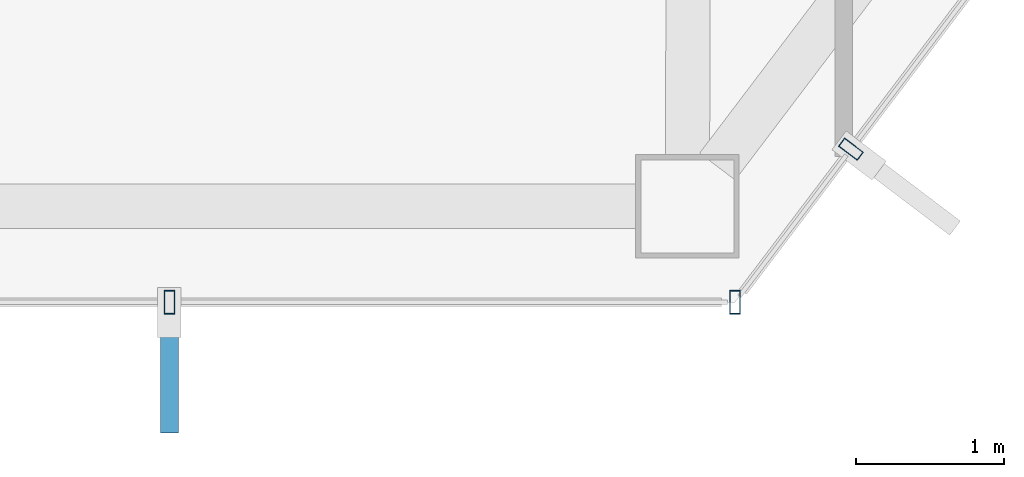
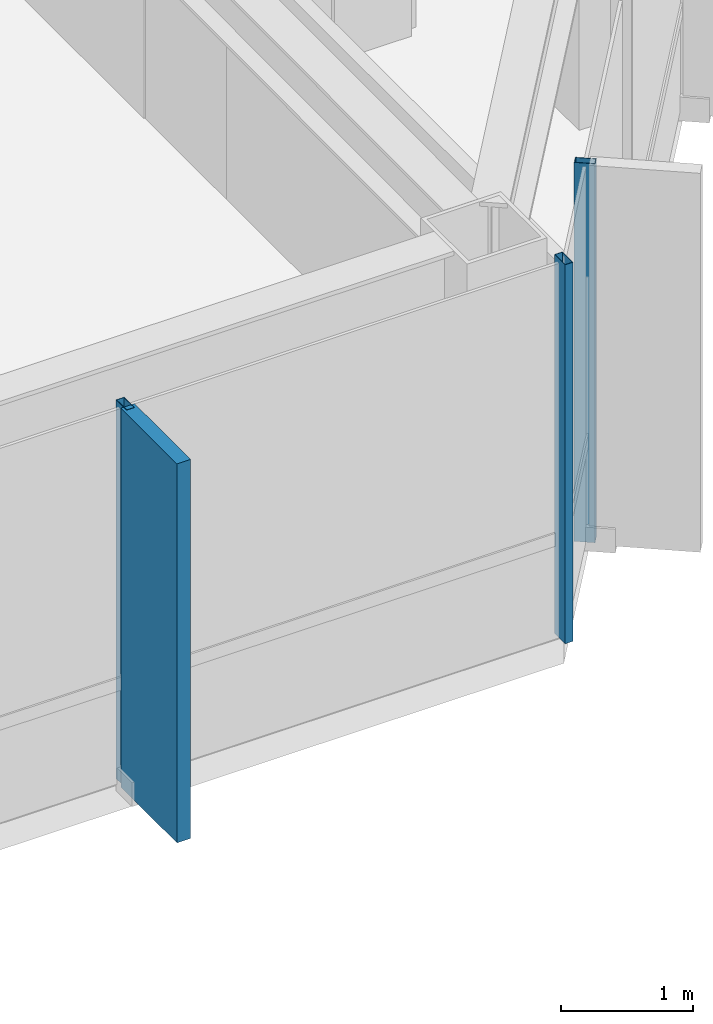
# One storey, part 8 of 28: 4 members, 2 elements without a shape of their own.
"""IFC4 building model written with IfcOpenShell, lengths in metres."""

import ifcopenshell
import ifcopenshell.guid

model = None  # the IFC model being written
_history = None  # IfcOwnerHistory: only IFC2X3 demands one
_inside = {}  # id of a spatial element -> (the spatial element, [elements in it])
_under = {}  # id of a project, library or spatial element -> (it, [spatial elements below it])
_declared = {}  # id of a project -> (the project, [libraries it declares])
_typed = {}  # id of a type object -> (the type object, [elements of that type])
_made_of = {}  # id of a material, layer set ... -> (it, [elements and type objects made of it])


def new_model(schema):
    """Start an empty IFC model of exactly this schema.

    Asked for "IFC4X3", IfcOpenShell would pick the latest addendum, in which some entities
    have other attributes; the version numbers below select the first issue.
    IFC2X3 requires an IfcOwnerHistory on every rooted entity: one is made here for all.
    """
    global model, _history
    if schema == "IFC4X3":
        model = ifcopenshell.file(schema_version=(4, 3, 0, 0))
    else:
        model = ifcopenshell.file(schema=schema)
    _inside.clear()
    _under.clear()
    _declared.clear()
    _typed.clear()
    _made_of.clear()
    _history = None
    if model.schema == "IFC2X3":
        org = make("IfcOrganization", Name="unknown")
        user = make(
            "IfcPersonAndOrganization",
            ThePerson=make("IfcPerson", FamilyName="unknown"),
            TheOrganization=org,
        )
        app = make(
            "IfcApplication",
            ApplicationDeveloper=org,
            Version="unknown",
            ApplicationFullName="unknown",
            ApplicationIdentifier="unknown",
        )
        _history = make(
            "IfcOwnerHistory",
            OwningUser=user,
            OwningApplication=app,
            ChangeAction="ADDED",
            CreationDate=0,
        )
    return model


def make(cls, **values):
    """One entity of the class cls with the attributes given. An attribute that is None is left unset."""
    return model.create_entity(
        cls, **{name: value for name, value in values.items() if value is not None}
    )


def rooted(cls, **values):
    """An entity with a GlobalId (a new one), such as an element, a storey or a relation."""
    return make(cls, GlobalId=ifcopenshell.guid.new(), OwnerHistory=_history, **values)


def si_unit(unit_type, name, prefix=None):
    """IfcSIUnit, for example si_unit("LENGTHUNIT", "METRE", prefix="MILLI")."""
    return make("IfcSIUnit", UnitType=unit_type, Prefix=prefix, Name=name)


def assignment(units):
    """IfcUnitAssignment: the units of a project."""
    return None if units is None else make("IfcUnitAssignment", Units=units)


def point(xyz):
    """IfcCartesianPoint."""
    return None if xyz is None else make("IfcCartesianPoint", Coordinates=xyz)


def direction(xyz):
    """IfcDirection."""
    return None if xyz is None else make("IfcDirection", DirectionRatios=xyz)


def frame(location, z_axis=None, x_axis=None):
    """IfcAxis2Placement3D, a coordinate frame: its origin and axes. An axis left out is left unset."""
    return make(
        "IfcAxis2Placement3D",
        Location=point(location),
        Axis=direction(z_axis),
        RefDirection=direction(x_axis),
    )


def frame_2d(location, x_axis=None):
    """IfcAxis2Placement2D, a coordinate frame in the plane: its origin and x axis."""
    return make(
        "IfcAxis2Placement2D", Location=point(location), RefDirection=direction(x_axis)
    )


def origin():
    """The frame at (0, 0, 0) with its axes left unset."""
    return frame((0.0, 0.0, 0.0))


def origin_2d():
    """The frame at (0, 0) in the plane with its x axis left unset."""
    return frame_2d((0.0, 0.0))


def place(relative_to, where):
    """IfcLocalPlacement: puts the frame where relative to a parent placement (None: the world)."""
    return make(
        "IfcLocalPlacement", PlacementRelTo=relative_to, RelativePlacement=where
    )


def context(
    kind, dimensions, precision=None, world=None, true_north=None, identifier=None
):
    """IfcGeometricRepresentationContext, for example the 3D "Model" context."""
    return make(
        "IfcGeometricRepresentationContext",
        ContextIdentifier=identifier,
        ContextType=kind,
        CoordinateSpaceDimension=dimensions,
        Precision=precision,
        WorldCoordinateSystem=world,
        TrueNorth=true_north,
    )


def subcontext(parent, identifier, kind, view, scale=None):
    """IfcGeometricRepresentationSubContext, for example "Body" below "Model"."""
    return make(
        "IfcGeometricRepresentationSubContext",
        ContextIdentifier=identifier,
        ContextType=kind,
        ParentContext=parent,
        TargetScale=scale,
        TargetView=view,
    )


def project(units=None, contexts=None):
    """IfcProject with its units and contexts."""
    return rooted(
        "IfcProject",
        Name="project",
        RepresentationContexts=contexts,
        UnitsInContext=assignment(units),
    )


def spatial(cls, under=None, at=None, **own):
    """A site, building, storey or space (cls), placed at a placement, below another one or the project."""
    s = rooted(cls, ObjectPlacement=at, **own)
    if under is not None:
        _under.setdefault(under.id(), (under, []))[1].append(s)
    return s


def profile(cls, at=None, kind="AREA", **sizes):
    """A parametric profile (cls). Its sizes go by their IFC names, for example OverallWidth=200.0."""
    return make(cls, ProfileType=kind, Position=at, **sizes)


def rectangle(**sizes):
    """IfcRectangleProfileDef."""
    return profile("IfcRectangleProfileDef", **sizes)


def hollow_rectangle(**sizes):
    """IfcRectangleHollowProfileDef."""
    return profile("IfcRectangleHollowProfileDef", **sizes)


def extrude(swept, where, along, depth):
    """IfcExtrudedAreaSolid: the profile swept, set in the frame where, extruded along a direction by depth."""
    return make(
        "IfcExtrudedAreaSolid",
        SweptArea=swept,
        Position=where,
        ExtrudedDirection=direction(along),
        Depth=depth,
    )


def shape(context_of_items, identifier, shape_type, items):
    """IfcShapeRepresentation: the items that make up one representation, for example the "Body"."""
    return make(
        "IfcShapeRepresentation",
        ContextOfItems=context_of_items,
        RepresentationIdentifier=identifier,
        RepresentationType=shape_type,
        Items=items,
    )


def material(Name=None, Category=None):
    """IfcMaterial."""
    return make("IfcMaterial", Name=Name, Category=Category)


def layer(
    of_material, thickness, ventilated=None, Name=None, Category=None, Priority=None
):
    """IfcMaterialLayer: one layer of a wall or slab, of a material (None: an air gap)."""
    return make(
        "IfcMaterialLayer",
        Material=of_material,
        LayerThickness=thickness,
        IsVentilated=ventilated,
        Name=Name,
        Category=Category,
        Priority=Priority,
    )


def layer_set(layers, Name=None):
    """IfcMaterialLayerSet."""
    return make("IfcMaterialLayerSet", MaterialLayers=layers, LayerSetName=Name)


def material_profile(
    of_material, cross_section, Name=None, Category=None, Priority=None
):
    """IfcMaterialProfile: a cross section and its material."""
    return make(
        "IfcMaterialProfile",
        Name=Name,
        Material=of_material,
        Profile=cross_section,
        Priority=Priority,
        Category=Category,
    )


def profile_set(profiles, Name=None, composite=None):
    """IfcMaterialProfileSet."""
    return make(
        "IfcMaterialProfileSet",
        Name=Name,
        MaterialProfiles=profiles,
        CompositeProfile=composite,
    )


def made_of(thing, what):
    """Note that an element or type object is made of a material, layer set ...; save() writes the relation."""
    if what is not None:
        _made_of.setdefault(what.id(), (what, []))[1].append(thing)
    return thing


def type_object(cls, material=None, **own):
    """A type object (cls), such as IfcWallType, which elements share."""
    return made_of(rooted(cls, **own), material)


def element(
    cls,
    number,
    at=None,
    inside=None,
    cuts=None,
    type_object=None,
    material=None,
    context=None,
    identifier="Body",
    shape_type=None,
    held_by="IfcProductDefinitionShape",
    body=None,
    shapes=None,
    **own,
):
    """One element of the class cls, such as IfcWall. Its Tag is "e" and its number.

    at: its placement. inside: the storey or other place that contains it. cuts: it is an
    opening in that element (IfcRelVoidsElement). A single representation is given by context,
    identifier, shape_type and body (its items); several are given by shapes. held_by: the class
    of the entity that holds the representations. save() writes the other relations.
    """
    e = rooted(cls, Tag="e%d" % number, ObjectPlacement=at, **own)
    if body is not None:
        shapes = [shape(context, identifier, shape_type, body)]
    if shapes is not None:
        e.Representation = make(held_by, Representations=shapes)
    if inside is not None:
        _inside.setdefault(inside.id(), (inside, []))[1].append(e)
    if cuts is not None:
        rooted(
            "IfcRelVoidsElement", RelatingBuildingElement=cuts, RelatedOpeningElement=e
        )
    if type_object is not None:
        _typed.setdefault(type_object.id(), (type_object, []))[1].append(e)
    return made_of(e, material)


def aggregate(whole, parts):
    """IfcRelAggregates: a whole, such as a stair, and the parts it consists of."""
    return rooted("IfcRelAggregates", RelatingObject=whole, RelatedObjects=parts)


def save(model, path):
    """Write the relations noted so far, then the file.

    IfcRelAggregates (storeys below a building ...), IfcRelContainedInSpatialStructure (elements
    in a storey), IfcRelDefinesByType, IfcRelAssociatesMaterial and IfcRelDeclares: one each for
    every whole, place, type object, material and project.
    """
    for whole, parts in _under.values():
        aggregate(whole, parts)
    for where, things in _inside.values():
        rooted(
            "IfcRelContainedInSpatialStructure",
            RelatedElements=things,
            RelatingStructure=where,
        )
    for kind, things in _typed.values():
        rooted("IfcRelDefinesByType", RelatedObjects=things, RelatingType=kind)
    for what, things in _made_of.values():
        rooted("IfcRelAssociatesMaterial", RelatedObjects=things, RelatingMaterial=what)
    for by, libraries in _declared.values():
        rooted("IfcRelDeclares", RelatingContext=by, RelatedDefinitions=libraries)
    model.write(path)


model = new_model("IFC4")

# Units and contexts
model_context = context("Model", 3, precision=1e-05, world=origin(), true_north=direction((0.0, 1.0)))
body_context = subcontext(model_context, "Body", "Model", "MODEL_VIEW")
ifc_project = project(units=[si_unit("LENGTHUNIT", "METRE"), si_unit("AREAUNIT", "SQUARE_METRE"), si_unit("VOLUMEUNIT", "CUBIC_METRE"), si_unit("PLANEANGLEUNIT", "RADIAN"), si_unit("MASSUNIT", "GRAM", prefix="KILO")], contexts=[model_context])

# Site, building, storey
site_placement = place(None, origin())
site = spatial("IfcSite", under=ifc_project, at=site_placement, CompositionType="ELEMENT")
building_placement = place(site_placement, origin())
building = spatial("IfcBuilding", under=site, at=building_placement, Name="Zarrinselat Tower", CompositionType="ELEMENT")
storey_placement = place(building_placement, frame((0.0, 0.0, 168.300048828125)))
storey = spatial("IfcBuildingStorey", under=building, at=storey_placement, Name="L41", CompositionType="ELEMENT", Elevation=168.300048828125)

# Curtain wall, members
ifc_material_1 = material(Name="Extruded Aluminium Alloy EN AW-6063 T6", Category="aluminium")
ifc_layer = layer(ifc_material_1, 0.175048828125)
ifc_layer_set = layer_set([ifc_layer], Name="Extruded Aluminium Alloy EN AW-6063 T6")
curtain_wall_type = type_object("IfcCurtainWallType", Name="CWS-HTL", PredefinedType="NOTDEFINED", material=ifc_layer_set)
curtain_wall_1_placement = place(storey_placement, origin())
curtain_wall_1 = element("IfcCurtainWall", 1, at=curtain_wall_1_placement, inside=storey, type_object=curtain_wall_type, Name="L41 Unitised Curtain Wall CW-L41-E04", PredefinedType="NOTDEFINED")
ifc_material_2 = material(Name="Extruded Aluminium Alloy EN AW-6063 T6", Category="aluminium")
ifc_material_profile_1 = material_profile(ifc_material_2, hollow_rectangle(XDim=0.070068359375, YDim=0.159912109375, WallThickness=0.00390625, at=origin_2d()), Name="RHS 160x70x4")
ifc_profile_set_1 = profile_set([ifc_material_profile_1], Name="Extruded Aluminium Alloy EN AW-6063 T6")
member_type_1 = type_object("IfcMemberType", Name="MEM-CW-MUL2", PredefinedType="MULLION", material=ifc_profile_set_1)
member_1_placement = place(storey_placement, frame((42.231201171875, 17.6533203125, 0.0), z_axis=(0.0, 0.0, 1.0), x_axis=(1.0, 0.0, 0.0)))
member_1 = element("IfcMember", 2, at=member_1_placement, type_object=member_type_1, Name="CW-L41-E04 Mullion 3", PredefinedType="MULLION", context=body_context, shape_type="SweptSolid", body=[
    extrude(hollow_rectangle(XDim=0.070068359375, YDim=0.159912109375, WallThickness=0.00390625, at=origin_2d()), origin(), (0.0, 0.0, 1.0), 3.5),
])
member_2_placement = place(storey_placement, frame((46.0625, 17.6533203125, 0.0), z_axis=(0.0, 0.0, 1.0), x_axis=(1.0, 0.0, 0.0)))
member_2 = element("IfcMember", 3, at=member_2_placement, type_object=member_type_1, Name="CW-L41-E04 Mullion 4", PredefinedType="MULLION", context=body_context, shape_type="SweptSolid", body=[
    extrude(hollow_rectangle(XDim=0.070068359375, YDim=0.159912109375, WallThickness=0.00390625, at=origin_2d()), origin(), (0.0, 0.0, 1.0), 3.5),
])

# Curtain wall, member
curtain_wall_2_placement = place(storey_placement, origin())
curtain_wall_2 = element("IfcCurtainWall", 4, at=curtain_wall_2_placement, inside=storey, type_object=curtain_wall_type, Name="L41 Unitised Curtain Wall CW-L41-E05", PredefinedType="NOTDEFINED")
member_3_placement = place(storey_placement, frame((46.847900390625, 18.690185546875, 0.0), z_axis=(0.0, 0.0, 1.0), x_axis=(0.603858853713, 0.797091265033, 0.0)))
member_3 = element("IfcMember", 5, at=member_3_placement, type_object=member_type_1, Name="CW-L41-E05 Mullion 1", PredefinedType="MULLION", context=body_context, shape_type="SweptSolid", body=[
    extrude(hollow_rectangle(XDim=0.070068359375, YDim=0.159912109375, WallThickness=0.00390625, at=origin_2d()), origin(), (0.0, 0.0, 1.0), 3.5),
])
aggregate(curtain_wall_2, [member_3])

# Member
ifc_material_3 = material(Name="Honed Cream Travertine Stone", Category="masonry")
ifc_material_profile_2 = material_profile(ifc_material_3, rectangle(XDim=0.1201171875, YDim=0.85009765625, at=origin_2d()), Name="FIN 850x120")
ifc_profile_set_2 = profile_set([ifc_material_profile_2], Name="Honed Cream Travertine Stone")
member_type_2 = type_object("IfcMemberType", Name="MEM-STONE-FIN", PredefinedType="USERDEFINED", material=ifc_profile_set_2)
member_4_placement = place(storey_placement, frame((42.231201171875, 17.193359375, 0.0), z_axis=(0.0, 0.0, 1.0), x_axis=(-1.0, 0.0, 0.0)))
member_4 = element("IfcMember", 6, at=member_4_placement, type_object=member_type_2, Name="L41 Stone Shading Fin CW-L41-E04-03", ObjectType="FIN", PredefinedType="USERDEFINED", context=body_context, shape_type="SweptSolid", body=[
    extrude(rectangle(XDim=0.1201171875, YDim=0.85009765625, at=origin_2d()), origin(), (0.0, 0.0, 1.0), 3.5),
])

aggregate(curtain_wall_1, [member_1, member_4, member_2])

save(model, "model.ifc")
